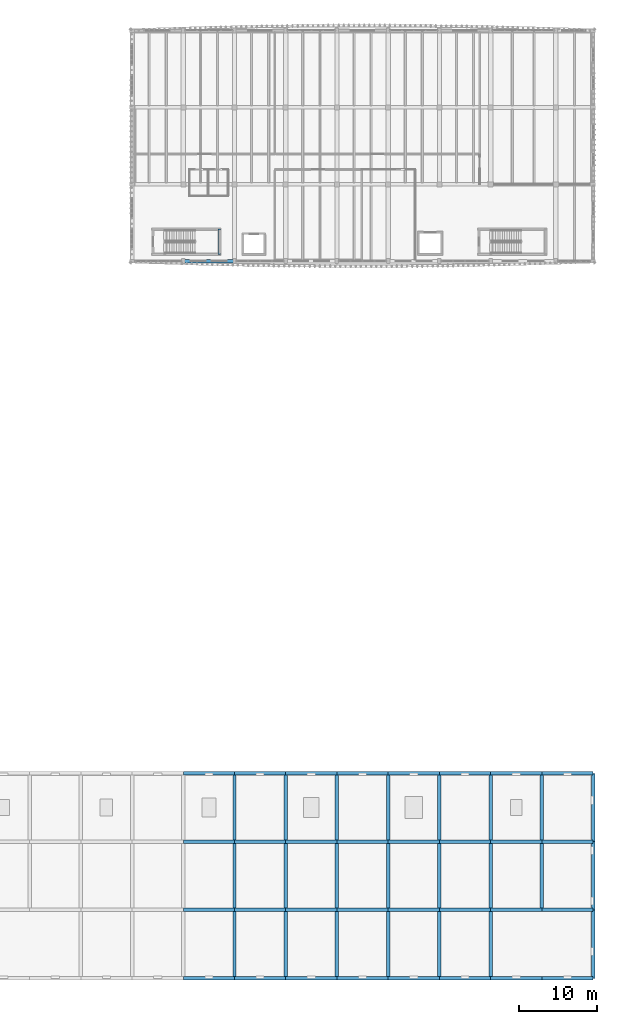
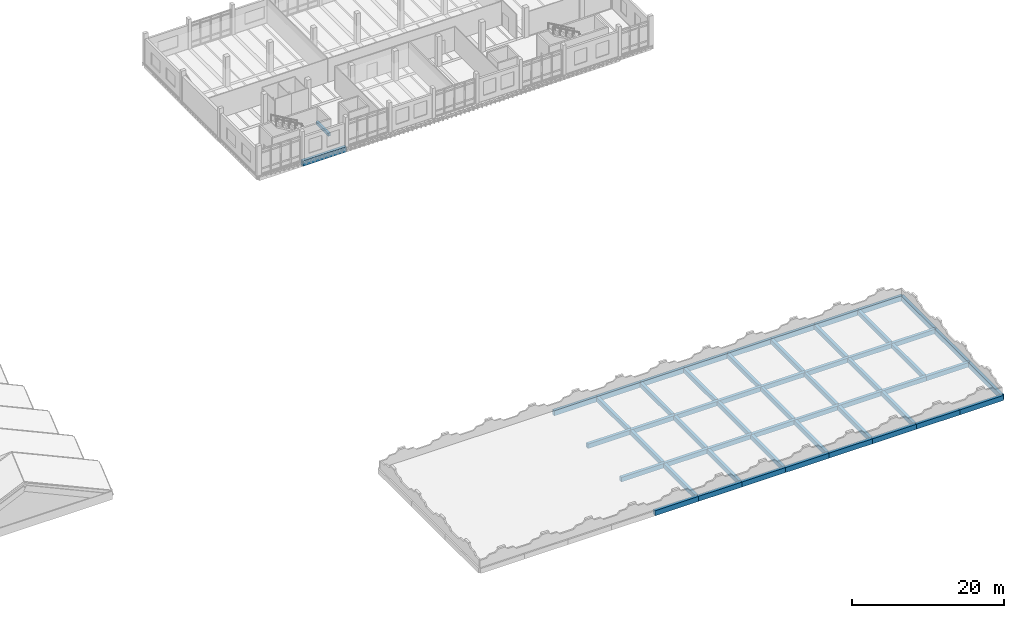
# One storey, part 12 of 50: 57 beams.
"""IFC4 building model written with IfcOpenShell, lengths in metres."""

from ifc_helpers import new_model, si_unit, direction, frame, origin, origin_2d, place, context, subcontext, project, spatial, rectangle, extrude, material, material_profile, profile_set, type_object, element, save


model = new_model("IFC4")

# Units and contexts
model_context = context("Model", 3, precision=1e-05, world=origin(), true_north=direction((0.0, 1.0)))
body_context = subcontext(model_context, "Body", "Model", "MODEL_VIEW")
ifc_project = project(units=[si_unit("LENGTHUNIT", "METRE"), si_unit("AREAUNIT", "SQUARE_METRE"), si_unit("VOLUMEUNIT", "CUBIC_METRE"), si_unit("PLANEANGLEUNIT", "RADIAN"), si_unit("MASSUNIT", "GRAM", prefix="KILO")], contexts=[model_context])

# Site, building, storey
site_placement = place(None, origin())
site = spatial("IfcSite", under=ifc_project, at=site_placement, CompositionType="ELEMENT")
building_placement = place(site_placement, origin())
building = spatial("IfcBuilding", under=site, at=building_placement, Name="Dornvale Research Institute", CompositionType="ELEMENT")
storey_placement = place(building_placement, frame((0.0, 0.0, 19.800048828125)))
storey = spatial("IfcBuildingStorey", under=building, at=storey_placement, Name="L04", CompositionType="ELEMENT", Elevation=19.800048828125)

# Beams
ifc_material_1 = material(Name="Concrete f'c 45 MPa (C35/45)", Category="concrete")
ifc_material_profile_1 = material_profile(ifc_material_1, rectangle(XDim=0.300048828125, YDim=0.5, at=origin_2d()), Name="RC 300x500")
ifc_profile_set_1 = profile_set([ifc_material_profile_1], Name="Concrete f'c 45 MPa (C35/45)")
beam_type_1 = type_object("IfcBeamType", Name="Beam_RC300x500_Trim", PredefinedType="BEAM", material=ifc_profile_set_1)
beam_1_placement = place(storey_placement, frame((130.050048828125, 93.280029296875, 1.949951171875), z_axis=(0.0, 1.0, 0.0), x_axis=(-1.0, 0.0, 0.0)))
element("IfcBeam", 1, at=beam_1_placement, inside=storey, type_object=beam_type_1, Name="L04 ST-3 half-landing support beam #60", PredefinedType="BEAM", context=body_context, shape_type="SweptSolid", body=[
    extrude(rectangle(XDim=0.300048828125, YDim=0.5, at=origin_2d()), origin(), (0.0, 0.0, 1.0), 3.239990234375),
])
ifc_material_2 = material(Name="Concrete f'c 45 MPa (C35/45)", Category="concrete")
ifc_material_profile_2 = material_profile(ifc_material_2, rectangle(XDim=0.449951171875, YDim=0.715087890625, at=origin_2d()), Name="RC 450x715")
ifc_profile_set_2 = profile_set([ifc_material_profile_2], Name="Concrete f'c 45 MPa (C35/45)")
beam_type_2 = type_object("IfcBeamType", Name="Beam_RC450x715_Lab", PredefinedType="BEAM", material=ifc_profile_set_2)
for number, where, z_axis, x_axis, name in (
    (2, (125.39990234375, 8.800048828125, -0.357666015625), (1.0, 0.0, 0.0), (0.0, 1.0, 0.0), "L04 primary girder #1251"),
    (3, (132.0, 8.800048828125, -0.357666015625), (1.0, 0.0, 0.0), (0.0, 1.0, 0.0), "L04 primary girder #1252"),
):
    element("IfcBeam", number, at=place(storey_placement, frame(where, z_axis=z_axis, x_axis=x_axis)), inside=storey, type_object=beam_type_2, Name=name, PredefinedType="BEAM", context=body_context, shape_type="SweptSolid", body=[
        extrude(rectangle(XDim=0.449951171875, YDim=0.715087890625, at=origin_2d()), origin(), (0.0, 0.0, 1.0), 6.60009765625),
    ])
beam_2_placement = place(storey_placement, frame((138.60009765625, 8.800048828125, -0.357666015625), z_axis=(1.0, 0.0, 0.0), x_axis=(0.0, 1.0, 0.0)))
element("IfcBeam", 4, at=beam_2_placement, inside=storey, type_object=beam_type_2, Name="L04 primary girder #1253", PredefinedType="BEAM", context=body_context, shape_type="SweptSolid", body=[
    extrude(rectangle(XDim=0.449951171875, YDim=0.715087890625, at=origin_2d()), origin(), (0.0, 0.0, 1.0), 6.599853515625),
])
beam_3_placement = place(storey_placement, frame((145.199951171875, 8.800048828125, -0.357666015625), z_axis=(1.0, 0.0, 0.0), x_axis=(0.0, 1.0, 0.0)))
element("IfcBeam", 5, at=beam_3_placement, inside=storey, type_object=beam_type_2, Name="L04 primary girder #1254", PredefinedType="BEAM", context=body_context, shape_type="SweptSolid", body=[
    extrude(rectangle(XDim=0.449951171875, YDim=0.715087890625, at=origin_2d()), origin(), (0.0, 0.0, 1.0), 6.60009765625),
])
beam_4_placement = place(storey_placement, frame((151.800048828125, 8.800048828125, -0.357666015625), z_axis=(1.0, 0.0, 0.0), x_axis=(0.0, 1.0, 0.0)))
element("IfcBeam", 6, at=beam_4_placement, inside=storey, type_object=beam_type_2, Name="L04 primary girder #1255", PredefinedType="BEAM", context=body_context, shape_type="SweptSolid", body=[
    extrude(rectangle(XDim=0.449951171875, YDim=0.715087890625, at=origin_2d()), origin(), (0.0, 0.0, 1.0), 6.599853515625),
])
for number, where, z_axis, x_axis, name in (
    (7, (158.39990234375, 8.800048828125, -0.357666015625), (1.0, 0.0, 0.0), (0.0, 1.0, 0.0), "L04 primary girder #1256"),
    (8, (165.0, 8.800048828125, -0.357666015625), (1.0, 0.0, 0.0), (0.0, 1.0, 0.0), "L04 primary girder #1257"),
):
    element("IfcBeam", number, at=place(storey_placement, frame(where, z_axis=z_axis, x_axis=x_axis)), inside=storey, type_object=beam_type_2, Name=name, PredefinedType="BEAM", context=body_context, shape_type="SweptSolid", body=[
        extrude(rectangle(XDim=0.449951171875, YDim=0.715087890625, at=origin_2d()), origin(), (0.0, 0.0, 1.0), 6.60009765625),
    ])
beam_5_placement = place(storey_placement, frame((171.60009765625, 8.800048828125, -0.357666015625), z_axis=(1.0, 0.0, 0.0), x_axis=(0.0, 1.0, 0.0)))
element("IfcBeam", 9, at=beam_5_placement, inside=storey, type_object=beam_type_2, Name="L04 primary girder #1258", PredefinedType="BEAM", context=body_context, shape_type="SweptSolid", body=[
    extrude(rectangle(XDim=0.449951171875, YDim=0.715087890625, at=origin_2d()), origin(), (0.0, 0.0, 1.0), 6.599853515625),
])
for number, where, z_axis, x_axis, name in (
    (10, (125.39990234375, 17.60009765625, -0.357666015625), (1.0, 0.0, 0.0), (0.0, 1.0, 0.0), "L04 primary girder #1263"),
    (11, (132.0, 17.60009765625, -0.357666015625), (1.0, 0.0, 0.0), (0.0, 1.0, 0.0), "L04 primary girder #1264"),
):
    element("IfcBeam", number, at=place(storey_placement, frame(where, z_axis=z_axis, x_axis=x_axis)), inside=storey, type_object=beam_type_2, Name=name, PredefinedType="BEAM", context=body_context, shape_type="SweptSolid", body=[
        extrude(rectangle(XDim=0.449951171875, YDim=0.715087890625, at=origin_2d()), origin(), (0.0, 0.0, 1.0), 6.60009765625),
    ])
beam_6_placement = place(storey_placement, frame((138.60009765625, 17.60009765625, -0.357666015625), z_axis=(1.0, 0.0, 0.0), x_axis=(0.0, 1.0, 0.0)))
element("IfcBeam", 12, at=beam_6_placement, inside=storey, type_object=beam_type_2, Name="L04 primary girder #1265", PredefinedType="BEAM", context=body_context, shape_type="SweptSolid", body=[
    extrude(rectangle(XDim=0.449951171875, YDim=0.715087890625, at=origin_2d()), origin(), (0.0, 0.0, 1.0), 6.599853515625),
])
beam_7_placement = place(storey_placement, frame((145.199951171875, 17.60009765625, -0.357666015625), z_axis=(1.0, 0.0, 0.0), x_axis=(0.0, 1.0, 0.0)))
element("IfcBeam", 13, at=beam_7_placement, inside=storey, type_object=beam_type_2, Name="L04 primary girder #1266", PredefinedType="BEAM", context=body_context, shape_type="SweptSolid", body=[
    extrude(rectangle(XDim=0.449951171875, YDim=0.715087890625, at=origin_2d()), origin(), (0.0, 0.0, 1.0), 6.60009765625),
])
beam_8_placement = place(storey_placement, frame((151.800048828125, 17.60009765625, -0.357666015625), z_axis=(1.0, 0.0, 0.0), x_axis=(0.0, 1.0, 0.0)))
element("IfcBeam", 14, at=beam_8_placement, inside=storey, type_object=beam_type_2, Name="L04 primary girder #1267", PredefinedType="BEAM", context=body_context, shape_type="SweptSolid", body=[
    extrude(rectangle(XDim=0.449951171875, YDim=0.715087890625, at=origin_2d()), origin(), (0.0, 0.0, 1.0), 6.599853515625),
])
for number, where, z_axis, x_axis, name in (
    (15, (158.39990234375, 17.60009765625, -0.357666015625), (1.0, 0.0, 0.0), (0.0, 1.0, 0.0), "L04 primary girder #1268"),
    (16, (165.0, 17.60009765625, -0.357666015625), (1.0, 0.0, 0.0), (0.0, 1.0, 0.0), "L04 primary girder #1269"),
):
    element("IfcBeam", number, at=place(storey_placement, frame(where, z_axis=z_axis, x_axis=x_axis)), inside=storey, type_object=beam_type_2, Name=name, PredefinedType="BEAM", context=body_context, shape_type="SweptSolid", body=[
        extrude(rectangle(XDim=0.449951171875, YDim=0.715087890625, at=origin_2d()), origin(), (0.0, 0.0, 1.0), 6.60009765625),
    ])
beam_9_placement = place(storey_placement, frame((171.60009765625, 17.60009765625, -0.357666015625), z_axis=(1.0, 0.0, 0.0), x_axis=(0.0, 1.0, 0.0)))
element("IfcBeam", 17, at=beam_9_placement, inside=storey, type_object=beam_type_2, Name="L04 primary girder #1270", PredefinedType="BEAM", context=body_context, shape_type="SweptSolid", body=[
    extrude(rectangle(XDim=0.449951171875, YDim=0.715087890625, at=origin_2d()), origin(), (0.0, 0.0, 1.0), 6.599853515625),
])
for number, where, z_axis, x_axis, name in (
    (18, (132.0, 0.0, -0.357666015625), (0.0, 1.0, 0.0), (-1.0, 0.0, 0.0), "L04 transverse girder #1297"),
    (19, (132.0, 8.800048828125, -0.357666015625), (0.0, 1.0, 0.0), (-1.0, 0.0, 0.0), "L04 transverse girder #1298"),
):
    element("IfcBeam", number, at=place(storey_placement, frame(where, z_axis=z_axis, x_axis=x_axis)), inside=storey, type_object=beam_type_2, Name=name, PredefinedType="BEAM", context=body_context, shape_type="SweptSolid", body=[
        extrude(rectangle(XDim=0.449951171875, YDim=0.715087890625, at=origin_2d()), origin(), (0.0, 0.0, 1.0), 8.800048828125),
    ])
beam_10_placement = place(storey_placement, frame((132.0, 17.60009765625, -0.357666015625), z_axis=(0.0, 1.0, 0.0), x_axis=(-1.0, 0.0, 0.0)))
element("IfcBeam", 20, at=beam_10_placement, inside=storey, type_object=beam_type_2, Name="L04 transverse girder #1299", PredefinedType="BEAM", context=body_context, shape_type="SweptSolid", body=[
    extrude(rectangle(XDim=0.449951171875, YDim=0.715087890625, at=origin_2d()), origin(), (0.0, 0.0, 1.0), 8.7998046875),
])
for number, where, z_axis, x_axis, name in (
    (21, (138.60009765625, 0.0, -0.357666015625), (0.0, 1.0, 0.0), (-1.0, 0.0, 0.0), "L04 transverse girder #1300"),
    (22, (138.60009765625, 8.800048828125, -0.357666015625), (0.0, 1.0, 0.0), (-1.0, 0.0, 0.0), "L04 transverse girder #1301"),
):
    element("IfcBeam", number, at=place(storey_placement, frame(where, z_axis=z_axis, x_axis=x_axis)), inside=storey, type_object=beam_type_2, Name=name, PredefinedType="BEAM", context=body_context, shape_type="SweptSolid", body=[
        extrude(rectangle(XDim=0.449951171875, YDim=0.715087890625, at=origin_2d()), origin(), (0.0, 0.0, 1.0), 8.800048828125),
    ])
beam_11_placement = place(storey_placement, frame((138.60009765625, 17.60009765625, -0.357666015625), z_axis=(0.0, 1.0, 0.0), x_axis=(-1.0, 0.0, 0.0)))
element("IfcBeam", 23, at=beam_11_placement, inside=storey, type_object=beam_type_2, Name="L04 transverse girder #1302", PredefinedType="BEAM", context=body_context, shape_type="SweptSolid", body=[
    extrude(rectangle(XDim=0.449951171875, YDim=0.715087890625, at=origin_2d()), origin(), (0.0, 0.0, 1.0), 8.7998046875),
])
for number, where, z_axis, x_axis, name in (
    (24, (145.199951171875, 0.0, -0.357666015625), (0.0, 1.0, 0.0), (-1.0, 0.0, 0.0), "L04 transverse girder #1303"),
    (25, (145.199951171875, 8.800048828125, -0.357666015625), (0.0, 1.0, 0.0), (-1.0, 0.0, 0.0), "L04 transverse girder #1304"),
):
    element("IfcBeam", number, at=place(storey_placement, frame(where, z_axis=z_axis, x_axis=x_axis)), inside=storey, type_object=beam_type_2, Name=name, PredefinedType="BEAM", context=body_context, shape_type="SweptSolid", body=[
        extrude(rectangle(XDim=0.449951171875, YDim=0.715087890625, at=origin_2d()), origin(), (0.0, 0.0, 1.0), 8.800048828125),
    ])
beam_12_placement = place(storey_placement, frame((145.199951171875, 17.60009765625, -0.357666015625), z_axis=(0.0, 1.0, 0.0), x_axis=(-1.0, 0.0, 0.0)))
element("IfcBeam", 26, at=beam_12_placement, inside=storey, type_object=beam_type_2, Name="L04 transverse girder #1305", PredefinedType="BEAM", context=body_context, shape_type="SweptSolid", body=[
    extrude(rectangle(XDim=0.449951171875, YDim=0.715087890625, at=origin_2d()), origin(), (0.0, 0.0, 1.0), 8.7998046875),
])
for number, where, z_axis, x_axis, name in (
    (27, (151.800048828125, 0.0, -0.357666015625), (0.0, 1.0, 0.0), (-1.0, 0.0, 0.0), "L04 transverse girder #1306"),
    (28, (151.800048828125, 8.800048828125, -0.357666015625), (0.0, 1.0, 0.0), (-1.0, 0.0, 0.0), "L04 transverse girder #1307"),
):
    element("IfcBeam", number, at=place(storey_placement, frame(where, z_axis=z_axis, x_axis=x_axis)), inside=storey, type_object=beam_type_2, Name=name, PredefinedType="BEAM", context=body_context, shape_type="SweptSolid", body=[
        extrude(rectangle(XDim=0.449951171875, YDim=0.715087890625, at=origin_2d()), origin(), (0.0, 0.0, 1.0), 8.800048828125),
    ])
beam_13_placement = place(storey_placement, frame((151.800048828125, 17.60009765625, -0.357666015625), z_axis=(0.0, 1.0, 0.0), x_axis=(-1.0, 0.0, 0.0)))
element("IfcBeam", 29, at=beam_13_placement, inside=storey, type_object=beam_type_2, Name="L04 transverse girder #1308", PredefinedType="BEAM", context=body_context, shape_type="SweptSolid", body=[
    extrude(rectangle(XDim=0.449951171875, YDim=0.715087890625, at=origin_2d()), origin(), (0.0, 0.0, 1.0), 8.7998046875),
])
for number, where, z_axis, x_axis, name in (
    (30, (158.39990234375, 0.0, -0.357666015625), (0.0, 1.0, 0.0), (-1.0, 0.0, 0.0), "L04 transverse girder #1309"),
    (31, (158.39990234375, 8.800048828125, -0.357666015625), (0.0, 1.0, 0.0), (-1.0, 0.0, 0.0), "L04 transverse girder #1310"),
):
    element("IfcBeam", number, at=place(storey_placement, frame(where, z_axis=z_axis, x_axis=x_axis)), inside=storey, type_object=beam_type_2, Name=name, PredefinedType="BEAM", context=body_context, shape_type="SweptSolid", body=[
        extrude(rectangle(XDim=0.449951171875, YDim=0.715087890625, at=origin_2d()), origin(), (0.0, 0.0, 1.0), 8.800048828125),
    ])
beam_14_placement = place(storey_placement, frame((158.39990234375, 17.60009765625, -0.357666015625), z_axis=(0.0, 1.0, 0.0), x_axis=(-1.0, 0.0, 0.0)))
element("IfcBeam", 32, at=beam_14_placement, inside=storey, type_object=beam_type_2, Name="L04 transverse girder #1311", PredefinedType="BEAM", context=body_context, shape_type="SweptSolid", body=[
    extrude(rectangle(XDim=0.449951171875, YDim=0.715087890625, at=origin_2d()), origin(), (0.0, 0.0, 1.0), 8.7998046875),
])
for number, where, z_axis, x_axis, name in (
    (33, (165.0, 0.0, -0.357666015625), (0.0, 1.0, 0.0), (-1.0, 0.0, 0.0), "L04 transverse girder #1312"),
    (34, (165.0, 8.800048828125, -0.357666015625), (0.0, 1.0, 0.0), (-1.0, 0.0, 0.0), "L04 transverse girder #1313"),
):
    element("IfcBeam", number, at=place(storey_placement, frame(where, z_axis=z_axis, x_axis=x_axis)), inside=storey, type_object=beam_type_2, Name=name, PredefinedType="BEAM", context=body_context, shape_type="SweptSolid", body=[
        extrude(rectangle(XDim=0.449951171875, YDim=0.715087890625, at=origin_2d()), origin(), (0.0, 0.0, 1.0), 8.800048828125),
    ])
beam_15_placement = place(storey_placement, frame((165.0, 17.60009765625, -0.357666015625), z_axis=(0.0, 1.0, 0.0), x_axis=(-1.0, 0.0, 0.0)))
element("IfcBeam", 35, at=beam_15_placement, inside=storey, type_object=beam_type_2, Name="L04 transverse girder #1314", PredefinedType="BEAM", context=body_context, shape_type="SweptSolid", body=[
    extrude(rectangle(XDim=0.449951171875, YDim=0.715087890625, at=origin_2d()), origin(), (0.0, 0.0, 1.0), 8.7998046875),
])
beam_16_placement = place(storey_placement, frame((171.60009765625, 8.800048828125, -0.357666015625), z_axis=(0.0, 1.0, 0.0), x_axis=(-1.0, 0.0, 0.0)))
element("IfcBeam", 36, at=beam_16_placement, inside=storey, type_object=beam_type_2, Name="L04 transverse girder #1315", PredefinedType="BEAM", context=body_context, shape_type="SweptSolid", body=[
    extrude(rectangle(XDim=0.449951171875, YDim=0.715087890625, at=origin_2d()), origin(), (0.0, 0.0, 1.0), 8.800048828125),
])
beam_17_placement = place(storey_placement, frame((171.60009765625, 17.60009765625, -0.357666015625), z_axis=(0.0, 1.0, 0.0), x_axis=(-1.0, 0.0, 0.0)))
element("IfcBeam", 37, at=beam_17_placement, inside=storey, type_object=beam_type_2, Name="L04 transverse girder #1316", PredefinedType="BEAM", context=body_context, shape_type="SweptSolid", body=[
    extrude(rectangle(XDim=0.449951171875, YDim=0.715087890625, at=origin_2d()), origin(), (0.0, 0.0, 1.0), 8.7998046875),
])
ifc_material_3 = material(Name="Concrete f'c 45 MPa (C35/45)", Category="concrete")
ifc_material_profile_3 = material_profile(ifc_material_3, rectangle(XDim=0.449951171875, YDim=0.800048828125, at=origin_2d()), Name="RC 450x800")
ifc_profile_set_3 = profile_set([ifc_material_profile_3], Name="Concrete f'c 45 MPa (C35/45)")
beam_type_3 = type_object("IfcBeamType", Name="Spandrel_RC450x800_Ext", PredefinedType="SPANDREL", material=ifc_profile_set_3)
for number, where, z_axis, x_axis, name in (
    (38, (125.39990234375, 0.0, -0.400146484375), (1.0, 0.0, 0.0), (0.0, 1.0, 0.0), "L04 perimeter spandrel #1239"),
    (39, (132.0, 0.0, -0.400146484375), (1.0, 0.0, 0.0), (0.0, 1.0, 0.0), "L04 perimeter spandrel #1240"),
):
    element("IfcBeam", number, at=place(storey_placement, frame(where, z_axis=z_axis, x_axis=x_axis)), inside=storey, type_object=beam_type_3, Name=name, PredefinedType="SPANDREL", context=body_context, shape_type="SweptSolid", body=[
        extrude(rectangle(XDim=0.449951171875, YDim=0.800048828125, at=origin_2d()), origin(), (0.0, 0.0, 1.0), 6.60009765625),
    ])
beam_18_placement = place(storey_placement, frame((138.60009765625, 0.0, -0.400146484375), z_axis=(1.0, 0.0, 0.0), x_axis=(0.0, 1.0, 0.0)))
element("IfcBeam", 40, at=beam_18_placement, inside=storey, type_object=beam_type_3, Name="L04 perimeter spandrel #1241", PredefinedType="SPANDREL", context=body_context, shape_type="SweptSolid", body=[
    extrude(rectangle(XDim=0.449951171875, YDim=0.800048828125, at=origin_2d()), origin(), (0.0, 0.0, 1.0), 6.599853515625),
])
beam_19_placement = place(storey_placement, frame((145.199951171875, 0.0, -0.400146484375), z_axis=(1.0, 0.0, 0.0), x_axis=(0.0, 1.0, 0.0)))
element("IfcBeam", 41, at=beam_19_placement, inside=storey, type_object=beam_type_3, Name="L04 perimeter spandrel #1242", PredefinedType="SPANDREL", context=body_context, shape_type="SweptSolid", body=[
    extrude(rectangle(XDim=0.449951171875, YDim=0.800048828125, at=origin_2d()), origin(), (0.0, 0.0, 1.0), 6.60009765625),
])
beam_20_placement = place(storey_placement, frame((151.800048828125, 0.0, -0.400146484375), z_axis=(1.0, 0.0, 0.0), x_axis=(0.0, 1.0, 0.0)))
element("IfcBeam", 42, at=beam_20_placement, inside=storey, type_object=beam_type_3, Name="L04 perimeter spandrel #1243", PredefinedType="SPANDREL", context=body_context, shape_type="SweptSolid", body=[
    extrude(rectangle(XDim=0.449951171875, YDim=0.800048828125, at=origin_2d()), origin(), (0.0, 0.0, 1.0), 6.599853515625),
])
for number, where, z_axis, x_axis, name in (
    (43, (158.39990234375, 0.0, -0.400146484375), (1.0, 0.0, 0.0), (0.0, 1.0, 0.0), "L04 perimeter spandrel #1244"),
    (44, (165.0, 0.0, -0.400146484375), (1.0, 0.0, 0.0), (0.0, 1.0, 0.0), "L04 perimeter spandrel #1245"),
):
    element("IfcBeam", number, at=place(storey_placement, frame(where, z_axis=z_axis, x_axis=x_axis)), inside=storey, type_object=beam_type_3, Name=name, PredefinedType="SPANDREL", context=body_context, shape_type="SweptSolid", body=[
        extrude(rectangle(XDim=0.449951171875, YDim=0.800048828125, at=origin_2d()), origin(), (0.0, 0.0, 1.0), 6.60009765625),
    ])
beam_21_placement = place(storey_placement, frame((171.60009765625, 0.0, -0.400146484375), z_axis=(1.0, 0.0, 0.0), x_axis=(0.0, 1.0, 0.0)))
element("IfcBeam", 45, at=beam_21_placement, inside=storey, type_object=beam_type_3, Name="L04 perimeter spandrel #1246", PredefinedType="SPANDREL", context=body_context, shape_type="SweptSolid", body=[
    extrude(rectangle(XDim=0.449951171875, YDim=0.800048828125, at=origin_2d()), origin(), (0.0, 0.0, 1.0), 6.599853515625),
])
for number, where, z_axis, x_axis, name in (
    (46, (125.39990234375, 26.39990234375, -0.400146484375), (1.0, 0.0, 0.0), (0.0, 1.0, 0.0), "L04 perimeter spandrel #1275"),
    (47, (132.0, 26.39990234375, -0.400146484375), (1.0, 0.0, 0.0), (0.0, 1.0, 0.0), "L04 perimeter spandrel #1276"),
):
    element("IfcBeam", number, at=place(storey_placement, frame(where, z_axis=z_axis, x_axis=x_axis)), inside=storey, type_object=beam_type_3, Name=name, PredefinedType="SPANDREL", context=body_context, shape_type="SweptSolid", body=[
        extrude(rectangle(XDim=0.449951171875, YDim=0.800048828125, at=origin_2d()), origin(), (0.0, 0.0, 1.0), 6.60009765625),
    ])
beam_22_placement = place(storey_placement, frame((138.60009765625, 26.39990234375, -0.400146484375), z_axis=(1.0, 0.0, 0.0), x_axis=(0.0, 1.0, 0.0)))
element("IfcBeam", 48, at=beam_22_placement, inside=storey, type_object=beam_type_3, Name="L04 perimeter spandrel #1277", PredefinedType="SPANDREL", context=body_context, shape_type="SweptSolid", body=[
    extrude(rectangle(XDim=0.449951171875, YDim=0.800048828125, at=origin_2d()), origin(), (0.0, 0.0, 1.0), 6.599853515625),
])
beam_23_placement = place(storey_placement, frame((145.199951171875, 26.39990234375, -0.400146484375), z_axis=(1.0, 0.0, 0.0), x_axis=(0.0, 1.0, 0.0)))
element("IfcBeam", 49, at=beam_23_placement, inside=storey, type_object=beam_type_3, Name="L04 perimeter spandrel #1278", PredefinedType="SPANDREL", context=body_context, shape_type="SweptSolid", body=[
    extrude(rectangle(XDim=0.449951171875, YDim=0.800048828125, at=origin_2d()), origin(), (0.0, 0.0, 1.0), 6.60009765625),
])
beam_24_placement = place(storey_placement, frame((151.800048828125, 26.39990234375, -0.400146484375), z_axis=(1.0, 0.0, 0.0), x_axis=(0.0, 1.0, 0.0)))
element("IfcBeam", 50, at=beam_24_placement, inside=storey, type_object=beam_type_3, Name="L04 perimeter spandrel #1279", PredefinedType="SPANDREL", context=body_context, shape_type="SweptSolid", body=[
    extrude(rectangle(XDim=0.449951171875, YDim=0.800048828125, at=origin_2d()), origin(), (0.0, 0.0, 1.0), 6.599853515625),
])
for number, where, z_axis, x_axis, name in (
    (51, (158.39990234375, 26.39990234375, -0.400146484375), (1.0, 0.0, 0.0), (0.0, 1.0, 0.0), "L04 perimeter spandrel #1280"),
    (52, (165.0, 26.39990234375, -0.400146484375), (1.0, 0.0, 0.0), (0.0, 1.0, 0.0), "L04 perimeter spandrel #1281"),
):
    element("IfcBeam", number, at=place(storey_placement, frame(where, z_axis=z_axis, x_axis=x_axis)), inside=storey, type_object=beam_type_3, Name=name, PredefinedType="SPANDREL", context=body_context, shape_type="SweptSolid", body=[
        extrude(rectangle(XDim=0.449951171875, YDim=0.800048828125, at=origin_2d()), origin(), (0.0, 0.0, 1.0), 6.60009765625),
    ])
beam_25_placement = place(storey_placement, frame((171.60009765625, 26.39990234375, -0.400146484375), z_axis=(1.0, 0.0, 0.0), x_axis=(0.0, 1.0, 0.0)))
element("IfcBeam", 53, at=beam_25_placement, inside=storey, type_object=beam_type_3, Name="L04 perimeter spandrel #1282", PredefinedType="SPANDREL", context=body_context, shape_type="SweptSolid", body=[
    extrude(rectangle(XDim=0.449951171875, YDim=0.800048828125, at=origin_2d()), origin(), (0.0, 0.0, 1.0), 6.599853515625),
])
for number, where, z_axis, x_axis, name in (
    (54, (178.199951171875, 0.0, -0.400146484375), (0.0, 1.0, 0.0), (-1.0, 0.0, 0.0), "L04 perimeter spandrel #1317"),
    (55, (178.199951171875, 8.800048828125, -0.400146484375), (0.0, 1.0, 0.0), (-1.0, 0.0, 0.0), "L04 perimeter spandrel #1318"),
):
    element("IfcBeam", number, at=place(storey_placement, frame(where, z_axis=z_axis, x_axis=x_axis)), inside=storey, type_object=beam_type_3, Name=name, PredefinedType="SPANDREL", context=body_context, shape_type="SweptSolid", body=[
        extrude(rectangle(XDim=0.449951171875, YDim=0.800048828125, at=origin_2d()), origin(), (0.0, 0.0, 1.0), 8.800048828125),
    ])
beam_26_placement = place(storey_placement, frame((178.199951171875, 17.60009765625, -0.400146484375), z_axis=(0.0, 1.0, 0.0), x_axis=(-1.0, 0.0, 0.0)))
element("IfcBeam", 56, at=beam_26_placement, inside=storey, type_object=beam_type_3, Name="L04 perimeter spandrel #1319", PredefinedType="SPANDREL", context=body_context, shape_type="SweptSolid", body=[
    extrude(rectangle(XDim=0.449951171875, YDim=0.800048828125, at=origin_2d()), origin(), (0.0, 0.0, 1.0), 8.7998046875),
])
ifc_material_4 = material(Name="Concrete f'c 45 MPa (C35/45)", Category="concrete")
ifc_material_profile_4 = material_profile(ifc_material_4, rectangle(XDim=0.449951171875, YDim=0.85009765625, at=origin_2d()), Name="RC 450x850")
ifc_profile_set_4 = profile_set([ifc_material_profile_4], Name="Concrete f'c 45 MPa (C35/45)")
beam_type_4 = type_object("IfcBeamType", Name="Spandrel_RC450x850_Ext", PredefinedType="SPANDREL", material=ifc_profile_set_4)
beam_27_placement = place(storey_placement, frame((125.39990234375, 92.39990234375, -0.425048828125), z_axis=(1.0, 0.0, 0.0), x_axis=(0.0, 1.0, 0.0)))
element("IfcBeam", 57, at=beam_27_placement, inside=storey, type_object=beam_type_4, Name="L04 perimeter spandrel #1173", PredefinedType="SPANDREL", context=body_context, shape_type="SweptSolid", body=[
    extrude(rectangle(XDim=0.449951171875, YDim=0.85009765625, at=origin_2d()), origin(), (0.0, 0.0, 1.0), 6.60009765625),
])

save(model, "model.ifc")
